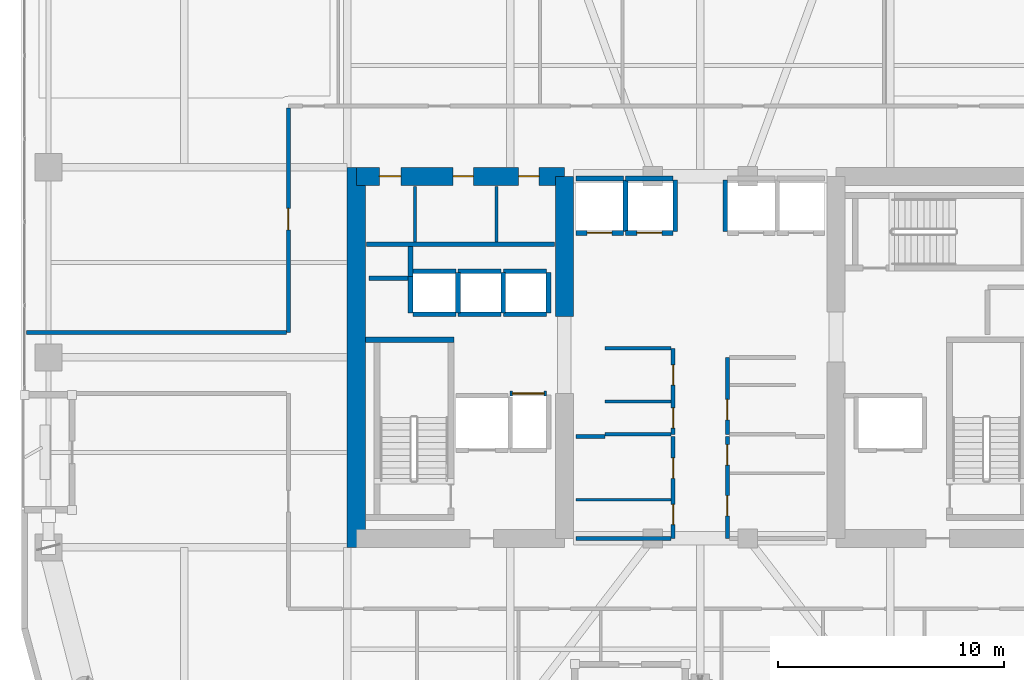
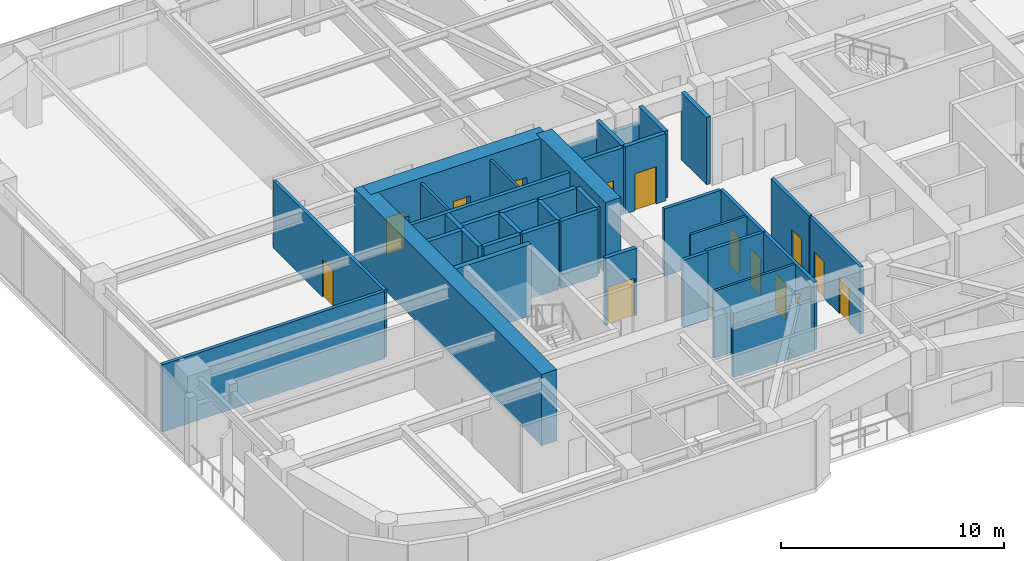
# One storey, part 25 of 30: 39 walls, 14 doors, 14 openings.
"""IFC4 building model written with IfcOpenShell, lengths in metres."""

from ifc_helpers import new_model, si_unit, direction, frame, frame_2d, origin, place, context, subcontext, project, spatial, rectangle, extrude, material, layer, layer_set, type_object, element, fill, save


model = new_model("IFC4")

# Units and contexts
model_context = context("Model", 3, precision=1e-05, world=origin(), true_north=direction((0.0, 1.0)))
body_context = subcontext(model_context, "Body", "Model", "MODEL_VIEW")
ifc_project = project(units=[si_unit("LENGTHUNIT", "METRE"), si_unit("AREAUNIT", "SQUARE_METRE"), si_unit("VOLUMEUNIT", "CUBIC_METRE"), si_unit("PLANEANGLEUNIT", "RADIAN"), si_unit("MASSUNIT", "GRAM", prefix="KILO")], contexts=[model_context])

# Site, building, storey
site_placement = place(None, origin())
site = spatial("IfcSite", under=ifc_project, at=site_placement, CompositionType="ELEMENT")
building_placement = place(site_placement, origin())
building = spatial("IfcBuilding", under=site, at=building_placement, Name="Kiyonajd Concourse Tower", CompositionType="ELEMENT")
storey_placement = place(building_placement, frame((0.0, 0.0, 162.300048828125)))
storey = spatial("IfcBuildingStorey", under=building, at=storey_placement, Name="L41", CompositionType="ELEMENT", Elevation=162.300048828125)

# Walls
ifc_material_1 = material(Name="Concrete C70/85", Category="concrete")
ifc_layer_1 = layer(ifc_material_1, 0.800048828125)
ifc_layer_set_1 = layer_set([ifc_layer_1], Name="Concrete C70/85")
wall_type_1 = type_object("IfcWallType", Name="WL-CORE-800", PredefinedType="SHEAR", material=ifc_layer_set_1)
wall_1_placement = place(storey_placement, frame((32.800048828125, 27.60009765625, 0.0), z_axis=(0.0, 0.0, 1.0), x_axis=(0.0, 1.0, 0.0)))
element("IfcWall", 1, at=wall_1_placement, inside=storey, type_object=wall_type_1, Name="L41 West Core Outer Shear Wall", PredefinedType="SHEAR", context=body_context, shape_type="SweptSolid", body=[
    extrude(rectangle(XDim=16.7998046875, YDim=0.800048828125, at=frame_2d((8.39990234375, 0.0))), origin(), (0.0, 0.0, 1.0), 3.89990234375),
])
wall_2_placement = place(storey_placement, frame((42.0, 37.800048828125, 0.0), z_axis=(0.0, 0.0, 1.0), x_axis=(0.0, 1.0, 0.0)))
element("IfcWall", 2, at=wall_2_placement, inside=storey, type_object=wall_type_1, Name="L41 West Core Inner North Shear Wall", PredefinedType="SHEAR", context=body_context, shape_type="SweptSolid", body=[
    extrude(rectangle(XDim=6.199951171875, YDim=0.800048828125, at=frame_2d((3.10009765625, 0.0))), origin(), (0.0, 0.0, 1.0), 3.89990234375),
])

# Wall, openings, doors
wall_3_placement = place(storey_placement, frame((32.800048828125, 44.0, 0.0), z_axis=(0.0, 0.0, 1.0), x_axis=(1.0, 0.0, 0.0)))
wall_3 = element("IfcWall", 3, at=wall_3_placement, inside=storey, type_object=wall_type_1, Name="L41 West Core North Shear Wall", PredefinedType="SHEAR", context=body_context, shape_type="SweptSolid", body=[
    extrude(rectangle(XDim=9.199951171875, YDim=0.800048828125, at=frame_2d((4.60009765625, 0.0))), origin(), (0.0, 0.0, 1.0), 3.89990234375),
])
opening_1_placement = place(wall_3_placement, frame((1.02490234375, 0.0, 0.0)))
opening_1 = element("IfcOpeningElement", 4, at=opening_1_placement, cuts=wall_3, Name="Opening DI1", PredefinedType="OPENING", context=body_context, shape_type="SweptSolid", body=[
    extrude(rectangle(XDim=0.949951171875, YDim=2.0400390625, at=frame_2d((0.47509765625, 1.02001953125))), frame((0.0, 0.409912109375, 0.0), z_axis=(0.0, -1.0, 0.0), x_axis=(1.0, 0.0, 0.0)), (0.0, 0.0, 1.0), 0.820068359375),
])
opening_2_placement = place(wall_3_placement, frame((4.27490234375, 0.0, 0.0)))
opening_2 = element("IfcOpeningElement", 5, at=opening_2_placement, cuts=wall_3, Name="Opening DI2", PredefinedType="OPENING", context=body_context, shape_type="SweptSolid", body=[
    extrude(rectangle(XDim=0.89990234375, YDim=2.02001953125, at=frame_2d((0.449951171875, 1.010009765625))), frame((0.0, 0.409912109375, 0.0), z_axis=(0.0, -1.0, 0.0), x_axis=(1.0, 0.0, 0.0)), (0.0, 0.0, 1.0), 0.820068359375),
])
opening_3_placement = place(wall_3_placement, frame((7.175048828125, 0.0, 0.0)))
opening_3 = element("IfcOpeningElement", 6, at=opening_3_placement, cuts=wall_3, Name="Opening DI2", PredefinedType="OPENING", context=body_context, shape_type="SweptSolid", body=[
    extrude(rectangle(XDim=0.89990234375, YDim=2.02001953125, at=frame_2d((0.449951171875, 1.010009765625))), frame((0.0, 0.409912109375, 0.0), z_axis=(0.0, -1.0, 0.0), x_axis=(1.0, 0.0, 0.0)), (0.0, 0.0, 1.0), 0.820068359375),
])
ifc_material_2 = material(Name="Natural Oak Acoustic Timber Veneer", Category="wood")
door_type_1 = type_object("IfcDoorType", Name="DR-INT-900", OperationType="NOTDEFINED", PredefinedType="DOOR", material=ifc_material_2)
door_1_placement = place(opening_2_placement, origin())
door_1 = element("IfcDoor", 7, at=door_1_placement, inside=storey, type_object=door_type_1, Name="L41 Male Restroom Door", OperationType="SINGLE_SWING_RIGHT", OverallHeight=2.02001953125, OverallWidth=0.89990234375, PredefinedType="DOOR", context=body_context, shape_type="SweptSolid", body=[
    extrude(rectangle(XDim=0.89990234375, YDim=2.02001953125, at=frame_2d((0.449951171875, 1.010009765625))), frame((0.0, 0.02490234375, 0.0), z_axis=(0.0, -1.0, 0.0), x_axis=(1.0, 0.0, 0.0)), (0.0, 0.0, 1.0), 0.050048828125),
])
fill(opening_2, door_1)
door_2_placement = place(opening_3_placement, origin())
door_2 = element("IfcDoor", 8, at=door_2_placement, inside=storey, type_object=door_type_1, Name="L41 Female Restroom Door", OperationType="SINGLE_SWING_LEFT", OverallHeight=2.02001953125, OverallWidth=0.89990234375, PredefinedType="DOOR", context=body_context, shape_type="SweptSolid", body=[
    extrude(rectangle(XDim=0.89990234375, YDim=2.02001953125, at=frame_2d((0.449951171875, 1.010009765625))), frame((0.0, 0.02490234375, 0.0), z_axis=(0.0, -1.0, 0.0), x_axis=(1.0, 0.0, 0.0)), (0.0, 0.0, 1.0), 0.050048828125),
])
fill(opening_3, door_2)
door_type_2 = type_object("IfcDoorType", Name="DR-INT-950", OperationType="NOTDEFINED", PredefinedType="DOOR", material=ifc_material_2)
door_3_placement = place(opening_1_placement, origin())
door_3 = element("IfcDoor", 9, at=door_3_placement, inside=storey, type_object=door_type_2, Name="L41 Single User Accessible WC Door", OperationType="SINGLE_SWING_LEFT", OverallHeight=2.0400390625, OverallWidth=0.949951171875, PredefinedType="DOOR", context=body_context, shape_type="SweptSolid", body=[
    extrude(rectangle(XDim=0.949951171875, YDim=2.0400390625, at=frame_2d((0.47509765625, 1.02001953125))), frame((0.0, 0.02490234375, 0.0), z_axis=(0.0, -1.0, 0.0), x_axis=(1.0, 0.0, 0.0)), (0.0, 0.0, 1.0), 0.050048828125),
])
fill(opening_1, door_3)

# Walls
ifc_material_3 = material(Name="Gypsum Board on Cold-Formed Steel Stud", Category="steel")
ifc_layer_2 = layer(ifc_material_3, 0.125)
ifc_layer_set_2 = layer_set([ifc_layer_2], Name="Gypsum Board on Cold-Formed Steel Stud")
wall_type_2 = type_object("IfcWallType", Name="WL-PART-125", PredefinedType="PARTITIONING", material=ifc_layer_set_2)
for number, where, z_axis, x_axis, name in (
    (10, (35.39990234375, 41.094970703125, 0.0), (0.0, 0.0, 1.0), (0.0, 1.0, 0.0), "L41 Interior Partition Wall"),
    (11, (39.0, 41.094970703125, 0.0), (0.0, 0.0, 1.0), (0.0, 1.0, 0.0), "L41 Interior Partition Wall"),
):
    element("IfcWall", number, at=place(storey_placement, frame(where, z_axis=z_axis, x_axis=x_axis)), inside=storey, type_object=wall_type_2, Name=name, PredefinedType="PARTITIONING", context=body_context, shape_type="SweptSolid", body=[
        extrude(rectangle(XDim=2.455078125, YDim=0.125, at=frame_2d((1.2275390625, 0.0))), origin(), (0.0, 0.0, 1.0), 3.679931640625),
    ])
wall_4_placement = place(storey_placement, frame((43.800048828125, 34.0439453125, 0.0), z_axis=(0.0, 0.0, 1.0), x_axis=(1.0, 0.0, 0.0)))
element("IfcWall", 12, at=wall_4_placement, inside=storey, type_object=wall_type_2, Name="L41 Interior Partition Wall", PredefinedType="PARTITIONING", context=body_context, shape_type="SweptSolid", body=[
    extrude(rectangle(XDim=2.912841796875, YDim=0.125, at=frame_2d((1.45654296875, 0.0))), origin(), (0.0, 0.0, 1.0), 3.679931640625),
])
wall_5_placement = place(storey_placement, frame((42.5, 29.7099609375, 0.0), z_axis=(0.0, 0.0, 1.0), x_axis=(1.0, 0.0, 0.0)))
element("IfcWall", 13, at=wall_5_placement, inside=storey, type_object=wall_type_2, Name="L41 Interior Partition Wall", PredefinedType="PARTITIONING", context=body_context, shape_type="SweptSolid", body=[
    extrude(rectangle(XDim=4.212890625, YDim=0.125, at=frame_2d((2.1064453125, 0.0))), origin(), (0.0, 0.0, 1.0), 3.679931640625),
])
ifc_layer_3 = layer(ifc_material_3, 0.18994140625)
ifc_layer_set_3 = layer_set([ifc_layer_3], Name="Gypsum Board on Cold-Formed Steel Stud")
wall_type_3 = type_object("IfcWallType", Name="WL-PLMB-190", PredefinedType="PLUMBINGWALL", material=ifc_layer_set_3)
wall_6_placement = place(storey_placement, frame((33.25, 41.0, 0.0), z_axis=(0.0, 0.0, 1.0), x_axis=(1.0, 0.0, 0.0)))
element("IfcWall", 14, at=wall_6_placement, inside=storey, type_object=wall_type_3, Name="L41 Interior Partition Wall", PredefinedType="PLUMBINGWALL", context=body_context, shape_type="SweptSolid", body=[
    extrude(rectangle(XDim=8.300048828125, YDim=0.18994140625, at=frame_2d((4.14990234375, 0.0))), origin(), (0.0, 0.0, 1.0), 3.679931640625),
])
ifc_layer_4 = layer(ifc_material_3, 0.2099609375)
ifc_layer_set_4 = layer_set([ifc_layer_4], Name="Gypsum Board on Cold-Formed Steel Stud")
wall_type_4 = type_object("IfcWallType", Name="WL-SHAFT-210", PredefinedType="PARTITIONING", material=ifc_layer_set_4)
wall_7_placement = place(storey_placement, frame((33.360107421875, 39.5, 0.0), z_axis=(0.0, 0.0, 1.0), x_axis=(1.0, 0.0, 0.0)))
element("IfcWall", 15, at=wall_7_placement, inside=storey, type_object=wall_type_4, Name="L41 Shaft Enclosure Wall", PredefinedType="PARTITIONING", context=body_context, shape_type="SweptSolid", body=[
    extrude(rectangle(XDim=1.85986328125, YDim=0.2099609375, at=frame_2d((0.929931640625, 0.0))), origin(), (0.0, 0.0, 1.0), 3.679931640625),
])
wall_8_placement = place(storey_placement, frame((35.199951171875, 39.580078125, 0.0), z_axis=(0.0, 0.0, 1.0), x_axis=(0.0, 1.0, 0.0)))
element("IfcWall", 16, at=wall_8_placement, inside=storey, type_object=wall_type_4, Name="L41 Shaft Enclosure Wall", PredefinedType="PARTITIONING", context=body_context, shape_type="SweptSolid", body=[
    extrude(rectangle(XDim=1.31982421875, YDim=0.2099609375, at=frame_2d((0.659912109375, 0.0))), origin(), (0.0, 0.0, 1.0), 3.679931640625),
])

# Wall, opening, door
wall_9_placement = place(storey_placement, frame((39.60009765625, 34.39990234375, 0.0), z_axis=(0.0, 0.0, 1.0), x_axis=(1.0, 0.0, 0.0)))
wall_9 = element("IfcWall", 17, at=wall_9_placement, inside=storey, type_object=wall_type_4, Name="L41 Shaft Enclosure Wall", PredefinedType="PARTITIONING", context=body_context, shape_type="SweptSolid", body=[
    extrude(rectangle(XDim=1.599853515625, YDim=0.2099609375, at=frame_2d((0.7998046875, 0.0))), origin(), (0.0, 0.0, 1.0), 3.679931640625),
])
opening_4_placement = place(wall_9_placement, frame((0.10009765625, 0.0, 0.0)))
opening_4 = element("IfcOpeningElement", 18, at=opening_4_placement, cuts=wall_9, Name="Opening LD3", PredefinedType="OPENING", context=body_context, shape_type="SweptSolid", body=[
    extrude(rectangle(XDim=1.39990234375, YDim=2.06005859375, at=frame_2d((0.699951171875, 1.030029296875))), frame((0.0, 0.114990234375, 0.0), z_axis=(0.0, -1.0, 0.0), x_axis=(1.0, 0.0, 0.0)), (0.0, 0.0, 1.0), 0.22998046875),
])
ifc_material_4 = material(Name="Brushed Stainless Steel Cab Assembly", Category="steel")
door_type_3 = type_object("IfcDoorType", Name="DR-LD-1400", OperationType="DOUBLE_DOOR_SLIDING", PredefinedType="DOOR", material=ifc_material_4)
door_4_placement = place(opening_4_placement, origin())
door_4 = element("IfcDoor", 19, at=door_4_placement, inside=storey, type_object=door_type_3, Name="L41 Lift SVL1 Sliding Landing Door", OperationType="DOUBLE_DOOR_SLIDING", OverallHeight=2.06005859375, OverallWidth=1.39990234375, PredefinedType="DOOR", context=body_context, shape_type="SweptSolid", body=[
    extrude(rectangle(XDim=1.39990234375, YDim=2.06005859375, at=frame_2d((0.699951171875, 1.030029296875))), frame((0.0, 0.02490234375, 0.0), z_axis=(0.0, -1.0, 0.0), x_axis=(1.0, 0.0, 0.0)), (0.0, 0.0, 1.0), 0.050048828125),
])
fill(opening_4, door_4)

wall_10_placement = place(storey_placement, frame((42.5, 41.5, 0.0), z_axis=(0.0, 0.0, 1.0), x_axis=(1.0, 0.0, 0.0)))
wall_10 = element("IfcWall", 20, at=wall_10_placement, inside=storey, type_object=wall_type_4, Name="L41 Shaft Enclosure Wall", PredefinedType="PARTITIONING", context=body_context, shape_type="SweptSolid", body=[
    extrude(rectangle(XDim=2.10009765625, YDim=0.2099609375, at=frame_2d((1.050048828125, 0.0))), origin(), (0.0, 0.0, 1.0), 3.679931640625),
])
opening_5_placement = place(wall_10_placement, frame((0.5, 0.0, 0.0)))
opening_5 = element("IfcOpeningElement", 21, at=opening_5_placement, cuts=wall_10, Name="Opening LD1", PredefinedType="OPENING", context=body_context, shape_type="SweptSolid", body=[
    extrude(rectangle(XDim=1.10009765625, YDim=2.0400390625, at=frame_2d((0.550048828125, 1.02001953125))), frame((0.0, 0.114990234375, 0.0), z_axis=(0.0, -1.0, 0.0), x_axis=(1.0, 0.0, 0.0)), (0.0, 0.0, 1.0), 0.22998046875),
])
door_type_4 = type_object("IfcDoorType", Name="DR-LD-1100", OperationType="DOUBLE_DOOR_SLIDING", PredefinedType="DOOR", material=ifc_material_4)
door_5_placement = place(opening_5_placement, origin())
door_5 = element("IfcDoor", 22, at=door_5_placement, inside=storey, type_object=door_type_4, Name="L41 Lift PL-M1 Sliding Landing Door", OperationType="DOUBLE_DOOR_SLIDING", OverallHeight=2.0400390625, OverallWidth=1.10009765625, PredefinedType="DOOR", context=body_context, shape_type="SweptSolid", body=[
    extrude(rectangle(XDim=1.10009765625, YDim=2.0400390625, at=frame_2d((0.550048828125, 1.02001953125))), frame((0.0, 0.02490234375, 0.0), z_axis=(0.0, -1.0, 0.0), x_axis=(1.0, 0.0, 0.0)), (0.0, 0.0, 1.0), 0.050048828125),
])
fill(opening_5, door_5)

# Walls
wall_11_placement = place(storey_placement, frame((42.5, 43.89990234375, 0.0), z_axis=(0.0, 0.0, 1.0), x_axis=(1.0, 0.0, 0.0)))
element("IfcWall", 23, at=wall_11_placement, inside=storey, type_object=wall_type_4, Name="L41 Shaft Enclosure Wall", PredefinedType="PARTITIONING", context=body_context, shape_type="SweptSolid", body=[
    extrude(rectangle(XDim=2.10009765625, YDim=0.2099609375, at=frame_2d((1.050048828125, 0.0))), origin(), (0.0, 0.0, 1.0), 2.764892578125),
])
wall_12_placement = place(storey_placement, frame((44.699951171875, 41.56005859375, 0.0), z_axis=(0.0, 0.0, 1.0), x_axis=(0.0, 1.0, 0.0)))
element("IfcWall", 24, at=wall_12_placement, inside=storey, type_object=wall_type_4, Name="L41 Shaft Enclosure Wall", PredefinedType="PARTITIONING", context=body_context, shape_type="SweptSolid", body=[
    extrude(rectangle(XDim=2.280029296875, YDim=0.2099609375, at=frame_2d((1.14013671875, 0.0))), origin(), (0.0, 0.0, 1.0), 3.679931640625),
])

# Wall, opening, door
wall_13_placement = place(storey_placement, frame((44.699951171875, 41.5, 0.0), z_axis=(0.0, 0.0, 1.0), x_axis=(1.0, 0.0, 0.0)))
wall_13 = element("IfcWall", 25, at=wall_13_placement, inside=storey, type_object=wall_type_4, Name="L41 Shaft Enclosure Wall", PredefinedType="PARTITIONING", context=body_context, shape_type="SweptSolid", body=[
    extrude(rectangle(XDim=2.10009765625, YDim=0.2099609375, at=frame_2d((1.050048828125, 0.0))), origin(), (0.0, 0.0, 1.0), 3.679931640625),
])
opening_6_placement = place(wall_13_placement, frame((0.5, 0.0, 0.0)))
opening_6 = element("IfcOpeningElement", 26, at=opening_6_placement, cuts=wall_13, Name="Opening LD1", PredefinedType="OPENING", context=body_context, shape_type="SweptSolid", body=[
    extrude(rectangle(XDim=1.10009765625, YDim=2.0400390625, at=frame_2d((0.550048828125, 1.02001953125))), frame((0.0, 0.114990234375, 0.0), z_axis=(0.0, -1.0, 0.0), x_axis=(1.0, 0.0, 0.0)), (0.0, 0.0, 1.0), 0.22998046875),
])
door_6_placement = place(opening_6_placement, origin())
door_6 = element("IfcDoor", 27, at=door_6_placement, inside=storey, type_object=door_type_4, Name="L41 Lift PL-M2 Sliding Landing Door", OperationType="DOUBLE_DOOR_SLIDING", OverallHeight=2.0400390625, OverallWidth=1.10009765625, PredefinedType="DOOR", context=body_context, shape_type="SweptSolid", body=[
    extrude(rectangle(XDim=1.10009765625, YDim=2.0400390625, at=frame_2d((0.550048828125, 1.02001953125))), frame((0.0, 0.02490234375, 0.0), z_axis=(0.0, -1.0, 0.0), x_axis=(1.0, 0.0, 0.0)), (0.0, 0.0, 1.0), 0.050048828125),
])
fill(opening_6, door_6)

# Walls
wall_14_placement = place(storey_placement, frame((44.699951171875, 43.89990234375, 0.0), z_axis=(0.0, 0.0, 1.0), x_axis=(1.0, 0.0, 0.0)))
element("IfcWall", 28, at=wall_14_placement, inside=storey, type_object=wall_type_4, Name="L41 Shaft Enclosure Wall", PredefinedType="PARTITIONING", context=body_context, shape_type="SweptSolid", body=[
    extrude(rectangle(XDim=2.10009765625, YDim=0.2099609375, at=frame_2d((1.050048828125, 0.0))), origin(), (0.0, 0.0, 1.0), 2.764892578125),
])
for number, where, z_axis, x_axis, name in (
    (29, (46.89990234375, 41.56005859375, 0.0), (0.0, 0.0, 1.0), (0.0, 1.0, 0.0), "L41 Shaft Enclosure Wall"),
    (30, (49.10009765625, 41.56005859375, 0.0), (0.0, 0.0, 1.0), (0.0, 1.0, 0.0), "L41 Shaft Enclosure Wall"),
):
    element("IfcWall", number, at=place(storey_placement, frame(where, z_axis=z_axis, x_axis=x_axis)), inside=storey, type_object=wall_type_4, Name=name, PredefinedType="PARTITIONING", context=body_context, shape_type="SweptSolid", body=[
        extrude(rectangle(XDim=2.280029296875, YDim=0.2099609375, at=frame_2d((1.14013671875, 0.0))), origin(), (0.0, 0.0, 1.0), 3.679931640625),
    ])
for number, where, z_axis, x_axis, name in (
    (31, (35.300048828125, 37.89990234375, 0.0), (0.0, 0.0, 1.0), (1.0, 0.0, 0.0), "L41 Shaft Enclosure Wall"),
    (32, (35.300048828125, 39.800048828125, 0.0), (0.0, 0.0, 1.0), (1.0, 0.0, 0.0), "L41 Shaft Enclosure Wall"),
):
    element("IfcWall", number, at=place(storey_placement, frame(where, z_axis=z_axis, x_axis=x_axis)), inside=storey, type_object=wall_type_4, Name=name, PredefinedType="PARTITIONING", context=body_context, shape_type="SweptSolid", body=[
        extrude(rectangle(XDim=1.89990234375, YDim=0.2099609375, at=frame_2d((0.949951171875, 0.0))), origin(), (0.0, 0.0, 1.0), 3.679931640625),
    ])
wall_15_placement = place(storey_placement, frame((35.199951171875, 37.9599609375, 0.0), z_axis=(0.0, 0.0, 1.0), x_axis=(0.0, 1.0, 0.0)))
element("IfcWall", 33, at=wall_15_placement, inside=storey, type_object=wall_type_4, Name="L41 Shaft Enclosure Wall", PredefinedType="PARTITIONING", context=body_context, shape_type="SweptSolid", body=[
    extrude(rectangle(XDim=1.6201171875, YDim=0.2099609375, at=frame_2d((0.81005859375, 0.0))), origin(), (0.0, 0.0, 1.0), 3.679931640625),
])
wall_16_placement = place(storey_placement, frame((37.300048828125, 37.9599609375, 0.0), z_axis=(0.0, 0.0, 1.0), x_axis=(0.0, 1.0, 0.0)))
element("IfcWall", 34, at=wall_16_placement, inside=storey, type_object=wall_type_4, Name="L41 Shaft Enclosure Wall", PredefinedType="PARTITIONING", context=body_context, shape_type="SweptSolid", body=[
    extrude(rectangle(XDim=1.780029296875, YDim=0.2099609375, at=frame_2d((0.89013671875, 0.0))), origin(), (0.0, 0.0, 1.0), 3.679931640625),
])
for number, where, z_axis, x_axis, name in (
    (35, (37.300048828125, 37.89990234375, 0.0), (0.0, 0.0, 1.0), (1.0, 0.0, 0.0), "L41 Shaft Enclosure Wall"),
    (36, (37.300048828125, 39.800048828125, 0.0), (0.0, 0.0, 1.0), (1.0, 0.0, 0.0), "L41 Shaft Enclosure Wall"),
):
    element("IfcWall", number, at=place(storey_placement, frame(where, z_axis=z_axis, x_axis=x_axis)), inside=storey, type_object=wall_type_4, Name=name, PredefinedType="PARTITIONING", context=body_context, shape_type="SweptSolid", body=[
        extrude(rectangle(XDim=1.89990234375, YDim=0.2099609375, at=frame_2d((0.949951171875, 0.0))), origin(), (0.0, 0.0, 1.0), 3.679931640625),
    ])
wall_17_placement = place(storey_placement, frame((39.300048828125, 37.9599609375, 0.0), z_axis=(0.0, 0.0, 1.0), x_axis=(0.0, 1.0, 0.0)))
element("IfcWall", 37, at=wall_17_placement, inside=storey, type_object=wall_type_4, Name="L41 Shaft Enclosure Wall", PredefinedType="PARTITIONING", context=body_context, shape_type="SweptSolid", body=[
    extrude(rectangle(XDim=1.780029296875, YDim=0.2099609375, at=frame_2d((0.89013671875, 0.0))), origin(), (0.0, 0.0, 1.0), 3.679931640625),
])
for number, where, z_axis, x_axis, name in (
    (38, (39.300048828125, 37.89990234375, 0.0), (0.0, 0.0, 1.0), (1.0, 0.0, 0.0), "L41 Shaft Enclosure Wall"),
    (39, (39.300048828125, 39.800048828125, 0.0), (0.0, 0.0, 1.0), (1.0, 0.0, 0.0), "L41 Shaft Enclosure Wall"),
):
    element("IfcWall", number, at=place(storey_placement, frame(where, z_axis=z_axis, x_axis=x_axis)), inside=storey, type_object=wall_type_4, Name=name, PredefinedType="PARTITIONING", context=body_context, shape_type="SweptSolid", body=[
        extrude(rectangle(XDim=1.89990234375, YDim=0.2099609375, at=frame_2d((0.949951171875, 0.0))), origin(), (0.0, 0.0, 1.0), 3.679931640625),
    ])
wall_18_placement = place(storey_placement, frame((41.300048828125, 37.9599609375, 0.0), z_axis=(0.0, 0.0, 1.0), x_axis=(0.0, 1.0, 0.0)))
element("IfcWall", 40, at=wall_18_placement, inside=storey, type_object=wall_type_4, Name="L41 Shaft Enclosure Wall", PredefinedType="PARTITIONING", context=body_context, shape_type="SweptSolid", body=[
    extrude(rectangle(XDim=1.780029296875, YDim=0.2099609375, at=frame_2d((0.89013671875, 0.0))), origin(), (0.0, 0.0, 1.0), 3.679931640625),
])

# Wall, openings, doors
ifc_layer_5 = layer(ifc_material_3, 0.169921875)
ifc_layer_set_5 = layer_set([ifc_layer_5], Name="Gypsum Board on Cold-Formed Steel Stud")
wall_type_5 = type_object("IfcWallType", Name="WL-SMK-170", PredefinedType="PARTITIONING", material=ifc_layer_set_5)
wall_19_placement = place(storey_placement, frame((46.800048828125, 32.60009765625, 0.0), z_axis=(0.0, 0.0, 1.0), x_axis=(0.0, 1.0, 0.0)))
wall_19 = element("IfcWall", 41, at=wall_19_placement, inside=storey, type_object=wall_type_5, Name="L41 Interior Partition Wall", PredefinedType="PARTITIONING", context=body_context, shape_type="SweptSolid", body=[
    extrude(rectangle(XDim=3.7998046875, YDim=0.169921875, at=frame_2d((1.89990234375, 0.0))), origin(), (0.0, 0.0, 1.0), 3.679931640625),
])
opening_7_placement = place(wall_19_placement, frame((0.27197265625, 0.0, 0.0)))
opening_7 = element("IfcOpeningElement", 42, at=opening_7_placement, cuts=wall_19, Name="Opening DI2", PredefinedType="OPENING", context=body_context, shape_type="SweptSolid", body=[
    extrude(rectangle(XDim=0.89990234375, YDim=2.02001953125, at=frame_2d((0.449951171875, 1.010009765625))), frame((0.0, 0.094970703125, 0.0), z_axis=(0.0, -1.0, 0.0), x_axis=(1.0, 0.0, 0.0)), (0.0, 0.0, 1.0), 0.18994140625),
])
opening_8_placement = place(wall_19_placement, frame((2.172119140625, 0.0, 0.0)))
opening_8 = element("IfcOpeningElement", 43, at=opening_8_placement, cuts=wall_19, Name="Opening DI2", PredefinedType="OPENING", context=body_context, shape_type="SweptSolid", body=[
    extrude(rectangle(XDim=0.89990234375, YDim=2.02001953125, at=frame_2d((0.449951171875, 1.010009765625))), frame((0.0, 0.094970703125, 0.0), z_axis=(0.0, -1.0, 0.0), x_axis=(1.0, 0.0, 0.0)), (0.0, 0.0, 1.0), 0.18994140625),
])
door_7_placement = place(opening_7_placement, origin())
door_7 = element("IfcDoor", 44, at=door_7_placement, inside=storey, type_object=door_type_1, Name="L41 Interior Door", OperationType="SINGLE_SWING_LEFT", OverallHeight=2.02001953125, OverallWidth=0.89990234375, PredefinedType="DOOR", context=body_context, shape_type="SweptSolid", body=[
    extrude(rectangle(XDim=0.89990234375, YDim=2.02001953125, at=frame_2d((0.449951171875, 1.010009765625))), frame((0.0, 0.02490234375, 0.0), z_axis=(0.0, -1.0, 0.0), x_axis=(1.0, 0.0, 0.0)), (0.0, 0.0, 1.0), 0.050048828125),
])
fill(opening_7, door_7)
door_8_placement = place(opening_8_placement, origin())
door_8 = element("IfcDoor", 45, at=door_8_placement, inside=storey, type_object=door_type_1, Name="L41 Interior Door", OperationType="SINGLE_SWING_RIGHT", OverallHeight=2.02001953125, OverallWidth=0.89990234375, PredefinedType="DOOR", context=body_context, shape_type="SweptSolid", body=[
    extrude(rectangle(XDim=0.89990234375, YDim=2.02001953125, at=frame_2d((0.449951171875, 1.010009765625))), frame((0.0, 0.02490234375, 0.0), z_axis=(0.0, -1.0, 0.0), x_axis=(1.0, 0.0, 0.0)), (0.0, 0.0, 1.0), 0.050048828125),
])
fill(opening_8, door_8)

# Walls
for number, where, z_axis, x_axis, name in (
    (46, (43.800048828125, 32.60009765625, 0.0), (0.0, 0.0, 1.0), (1.0, 0.0, 0.0), "L41 Interior Partition Wall"),
    (47, (43.800048828125, 36.39990234375, 0.0), (0.0, 0.0, 1.0), (1.0, 0.0, 0.0), "L41 Interior Partition Wall"),
):
    element("IfcWall", number, at=place(storey_placement, frame(where, z_axis=z_axis, x_axis=x_axis)), inside=storey, type_object=wall_type_5, Name=name, PredefinedType="PARTITIONING", context=body_context, shape_type="SweptSolid", body=[
        extrude(rectangle(XDim=2.912841796875, YDim=0.169921875, at=frame_2d((1.45654296875, 0.0))), origin(), (0.0, 0.0, 1.0), 3.679931640625),
    ])

# Wall, opening, door
wall_20_placement = place(storey_placement, frame((49.199951171875, 32.60009765625, 0.0), z_axis=(0.0, 0.0, 1.0), x_axis=(0.0, 1.0, 0.0)))
wall_20 = element("IfcWall", 48, at=wall_20_placement, inside=storey, type_object=wall_type_5, Name="L41 Interior Partition Wall", PredefinedType="PARTITIONING", context=body_context, shape_type="SweptSolid", body=[
    extrude(rectangle(XDim=3.39990234375, YDim=0.169921875, at=frame_2d((1.699951171875, 0.0))), origin(), (0.0, 0.0, 1.0), 3.679931640625),
])
opening_9_placement = place(wall_20_placement, frame((0.637939453125, 0.0, 0.0)))
opening_9 = element("IfcOpeningElement", 49, at=opening_9_placement, cuts=wall_20, Name="Opening DF4", PredefinedType="OPENING", context=body_context, shape_type="SweptSolid", body=[
    extrude(rectangle(XDim=0.89990234375, YDim=2.02001953125, at=frame_2d((0.449951171875, 1.010009765625))), frame((0.0, 0.094970703125, 0.0), z_axis=(0.0, -1.0, 0.0), x_axis=(1.0, 0.0, 0.0)), (0.0, 0.0, 1.0), 0.18994140625),
])
door_type_5 = type_object("IfcDoorType", Name="DR-FD60-900", OperationType="NOTDEFINED", PredefinedType="DOOR", material=ifc_material_4)
door_9_placement = place(opening_9_placement, origin())
door_9 = element("IfcDoor", 50, at=door_9_placement, inside=storey, type_object=door_type_5, Name="L41 Interior Door", OperationType="SINGLE_SWING_LEFT", OverallHeight=2.02001953125, OverallWidth=0.89990234375, PredefinedType="DOOR", context=body_context, shape_type="SweptSolid", body=[
    extrude(rectangle(XDim=0.89990234375, YDim=2.02001953125, at=frame_2d((0.449951171875, 1.010009765625))), frame((0.0, 0.02490234375, 0.0), z_axis=(0.0, -1.0, 0.0), x_axis=(1.0, 0.0, 0.0)), (0.0, 0.0, 1.0), 0.050048828125),
])
fill(opening_9, door_9)

# Wall, openings, doors
wall_21_placement = place(storey_placement, frame((46.800048828125, 28.0, 0.0), z_axis=(0.0, 0.0, 1.0), x_axis=(0.0, 1.0, 0.0)))
wall_21 = element("IfcWall", 51, at=wall_21_placement, inside=storey, type_object=wall_type_5, Name="L41 Interior Partition Wall", PredefinedType="PARTITIONING", context=body_context, shape_type="SweptSolid", body=[
    extrude(rectangle(XDim=4.5, YDim=0.169921875, at=frame_2d((2.25, 0.0))), origin(), (0.0, 0.0, 1.0), 3.679931640625),
])
opening_10_placement = place(wall_21_placement, frame((0.60498046875, 0.0, 0.0)))
opening_10 = element("IfcOpeningElement", 52, at=opening_10_placement, cuts=wall_21, Name="Opening DI2", PredefinedType="OPENING", context=body_context, shape_type="SweptSolid", body=[
    extrude(rectangle(XDim=0.89990234375, YDim=2.02001953125, at=frame_2d((0.449951171875, 1.010009765625))), frame((0.0, 0.094970703125, 0.0), z_axis=(0.0, -1.0, 0.0), x_axis=(1.0, 0.0, 0.0)), (0.0, 0.0, 1.0), 0.18994140625),
])
opening_11_placement = place(wall_21_placement, frame((2.655029296875, 0.0, 0.0)))
opening_11 = element("IfcOpeningElement", 53, at=opening_11_placement, cuts=wall_21, Name="Opening DI2", PredefinedType="OPENING", context=body_context, shape_type="SweptSolid", body=[
    extrude(rectangle(XDim=0.89990234375, YDim=2.02001953125, at=frame_2d((0.449951171875, 1.010009765625))), frame((0.0, 0.094970703125, 0.0), z_axis=(0.0, -1.0, 0.0), x_axis=(1.0, 0.0, 0.0)), (0.0, 0.0, 1.0), 0.18994140625),
])
door_10_placement = place(opening_10_placement, origin())
door_10 = element("IfcDoor", 54, at=door_10_placement, inside=storey, type_object=door_type_1, Name="L41 Interior Door", OperationType="SINGLE_SWING_RIGHT", OverallHeight=2.02001953125, OverallWidth=0.89990234375, PredefinedType="DOOR", context=body_context, shape_type="SweptSolid", body=[
    extrude(rectangle(XDim=0.89990234375, YDim=2.02001953125, at=frame_2d((0.449951171875, 1.010009765625))), frame((0.0, 0.02490234375, 0.0), z_axis=(0.0, -1.0, 0.0), x_axis=(1.0, 0.0, 0.0)), (0.0, 0.0, 1.0), 0.050048828125),
])
fill(opening_10, door_10)
door_11_placement = place(opening_11_placement, origin())
door_11 = element("IfcDoor", 55, at=door_11_placement, inside=storey, type_object=door_type_1, Name="L41 Interior Door", OperationType="SINGLE_SWING_LEFT", OverallHeight=2.02001953125, OverallWidth=0.89990234375, PredefinedType="DOOR", context=body_context, shape_type="SweptSolid", body=[
    extrude(rectangle(XDim=0.89990234375, YDim=2.02001953125, at=frame_2d((0.449951171875, 1.010009765625))), frame((0.0, 0.02490234375, 0.0), z_axis=(0.0, -1.0, 0.0), x_axis=(1.0, 0.0, 0.0)), (0.0, 0.0, 1.0), 0.050048828125),
])
fill(opening_11, door_11)

# Walls
wall_22_placement = place(storey_placement, frame((42.5, 28.0, 0.0), z_axis=(0.0, 0.0, 1.0), x_axis=(1.0, 0.0, 0.0)))
element("IfcWall", 56, at=wall_22_placement, inside=storey, type_object=wall_type_5, Name="L41 Interior Partition Wall", PredefinedType="PARTITIONING", context=body_context, shape_type="SweptSolid", body=[
    extrude(rectangle(XDim=4.212890625, YDim=0.169921875, at=frame_2d((2.1064453125, 0.0))), origin(), (0.0, 0.0, 1.0), 2.764892578125),
])
wall_23_placement = place(storey_placement, frame((42.5, 32.5, 0.0), z_axis=(0.0, 0.0, 1.0), x_axis=(1.0, 0.0, 0.0)))
element("IfcWall", 57, at=wall_23_placement, inside=storey, type_object=wall_type_5, Name="L41 Interior Partition Wall", PredefinedType="PARTITIONING", context=body_context, shape_type="SweptSolid", body=[
    extrude(rectangle(XDim=1.300048828125, YDim=0.169921875, at=frame_2d((0.64990234375, 0.0))), origin(), (0.0, 0.0, 1.0), 3.679931640625),
])

# Wall, openings, doors
wall_24_placement = place(storey_placement, frame((49.199951171875, 28.0, 0.0), z_axis=(0.0, 0.0, 1.0), x_axis=(0.0, 1.0, 0.0)))
wall_24 = element("IfcWall", 58, at=wall_24_placement, inside=storey, type_object=wall_type_5, Name="L41 Interior Partition Wall", PredefinedType="PARTITIONING", context=body_context, shape_type="SweptSolid", body=[
    extrude(rectangle(XDim=4.5, YDim=0.169921875, at=frame_2d((2.25, 0.0))), origin(), (0.0, 0.0, 1.0), 3.679931640625),
])
opening_12_placement = place(wall_24_placement, frame((0.989990234375, 0.0, 0.0)))
opening_12 = element("IfcOpeningElement", 59, at=opening_12_placement, cuts=wall_24, Name="Opening DF4", PredefinedType="OPENING", context=body_context, shape_type="SweptSolid", body=[
    extrude(rectangle(XDim=0.89990234375, YDim=2.02001953125, at=frame_2d((0.449951171875, 1.010009765625))), frame((0.0, 0.094970703125, 0.0), z_axis=(0.0, -1.0, 0.0), x_axis=(1.0, 0.0, 0.0)), (0.0, 0.0, 1.0), 0.18994140625),
])
opening_13_placement = place(wall_24_placement, frame((3.239990234375, 0.0, 0.0)))
opening_13 = element("IfcOpeningElement", 60, at=opening_13_placement, cuts=wall_24, Name="Opening DF4", PredefinedType="OPENING", context=body_context, shape_type="SweptSolid", body=[
    extrude(rectangle(XDim=0.89990234375, YDim=2.02001953125, at=frame_2d((0.449951171875, 1.010009765625))), frame((0.0, 0.094970703125, 0.0), z_axis=(0.0, -1.0, 0.0), x_axis=(1.0, 0.0, 0.0)), (0.0, 0.0, 1.0), 0.18994140625),
])
door_12_placement = place(opening_12_placement, origin())
door_12 = element("IfcDoor", 61, at=door_12_placement, inside=storey, type_object=door_type_5, Name="L41 Interior Door", OperationType="SINGLE_SWING_RIGHT", OverallHeight=2.02001953125, OverallWidth=0.89990234375, PredefinedType="DOOR", context=body_context, shape_type="SweptSolid", body=[
    extrude(rectangle(XDim=0.89990234375, YDim=2.02001953125, at=frame_2d((0.449951171875, 1.010009765625))), frame((0.0, 0.02490234375, 0.0), z_axis=(0.0, -1.0, 0.0), x_axis=(1.0, 0.0, 0.0)), (0.0, 0.0, 1.0), 0.050048828125),
])
fill(opening_12, door_12)
door_13_placement = place(opening_13_placement, origin())
door_13 = element("IfcDoor", 62, at=door_13_placement, inside=storey, type_object=door_type_5, Name="L41 Interior Door", OperationType="SINGLE_SWING_LEFT", OverallHeight=2.02001953125, OverallWidth=0.89990234375, PredefinedType="DOOR", context=body_context, shape_type="SweptSolid", body=[
    extrude(rectangle(XDim=0.89990234375, YDim=2.02001953125, at=frame_2d((0.449951171875, 1.010009765625))), frame((0.0, 0.02490234375, 0.0), z_axis=(0.0, -1.0, 0.0), x_axis=(1.0, 0.0, 0.0)), (0.0, 0.0, 1.0), 0.050048828125),
])
fill(opening_13, door_13)

# Wall, opening, door
wall_25_placement = place(storey_placement, frame((29.800048828125, 37.10009765625, 0.0), z_axis=(0.0, 0.0, 1.0), x_axis=(0.0, 1.0, 0.0)))
wall_25 = element("IfcWall", 63, at=wall_25_placement, inside=storey, type_object=wall_type_5, Name="L41 Interior Partition Wall", PredefinedType="PARTITIONING", context=body_context, shape_type="SweptSolid", body=[
    extrude(rectangle(XDim=9.9228515625, YDim=0.169921875, at=frame_2d((4.96142578125, 0.0))), origin(), (0.0, 0.0, 1.0), 3.679931640625),
])
opening_14_placement = place(wall_25_placement, frame((4.530029296875, 0.0, 0.0)))
opening_14 = element("IfcOpeningElement", 64, at=opening_14_placement, cuts=wall_25, Name="Opening DI1", PredefinedType="OPENING", context=body_context, shape_type="SweptSolid", body=[
    extrude(rectangle(XDim=0.949951171875, YDim=2.0400390625, at=frame_2d((0.47509765625, 1.02001953125))), frame((0.0, 0.094970703125, 0.0), z_axis=(0.0, -1.0, 0.0), x_axis=(1.0, 0.0, 0.0)), (0.0, 0.0, 1.0), 0.18994140625),
])
door_14_placement = place(opening_14_placement, origin())
door_14 = element("IfcDoor", 65, at=door_14_placement, inside=storey, type_object=door_type_2, Name="L41 Interior Door", OperationType="SINGLE_SWING_LEFT", OverallHeight=2.0400390625, OverallWidth=0.949951171875, PredefinedType="DOOR", context=body_context, shape_type="SweptSolid", body=[
    extrude(rectangle(XDim=0.949951171875, YDim=2.0400390625, at=frame_2d((0.47509765625, 1.02001953125))), frame((0.0, 0.02490234375, 0.0), z_axis=(0.0, -1.0, 0.0), x_axis=(1.0, 0.0, 0.0)), (0.0, 0.0, 1.0), 0.050048828125),
])
fill(opening_14, door_14)

# Walls
wall_26_placement = place(storey_placement, frame((18.22509765625, 37.10009765625, 0.0), z_axis=(0.0, 0.0, 1.0), x_axis=(1.0, 0.0, 0.0)))
element("IfcWall", 66, at=wall_26_placement, inside=storey, type_object=wall_type_5, Name="L41 Interior Partition Wall", PredefinedType="PARTITIONING", context=body_context, shape_type="SweptSolid", body=[
    extrude(rectangle(XDim=11.48779296875, YDim=0.169921875, at=frame_2d((5.743896484375, 0.0))), origin(), (0.0, 0.0, 1.0), 3.679931640625),
])
ifc_material_5 = material(Name="Concrete C50/60", Category="concrete")
ifc_layer_6 = layer(ifc_material_5, 0.260009765625)
ifc_layer_set_6 = layer_set([ifc_layer_6], Name="Concrete C50/60")
wall_type_6 = type_object("IfcWallType", Name="WL-STAIR-260", PredefinedType="SHEAR", material=ifc_layer_set_6)
wall_27_placement = place(storey_placement, frame((33.199951171875, 36.780029296875, 0.0), z_axis=(0.0, 0.0, 1.0), x_axis=(1.0, 0.0, 0.0)))
element("IfcWall", 67, at=wall_27_placement, inside=storey, type_object=wall_type_6, Name="L41 Stair ST1 Structural North Wall", PredefinedType="SHEAR", context=body_context, shape_type="SweptSolid", body=[
    extrude(rectangle(XDim=3.91015625, YDim=0.260009765625, at=frame_2d((1.955078125, 0.0))), origin(), (0.0, 0.0, 1.0), 3.89990234375),
])

save(model, "model.ifc")
